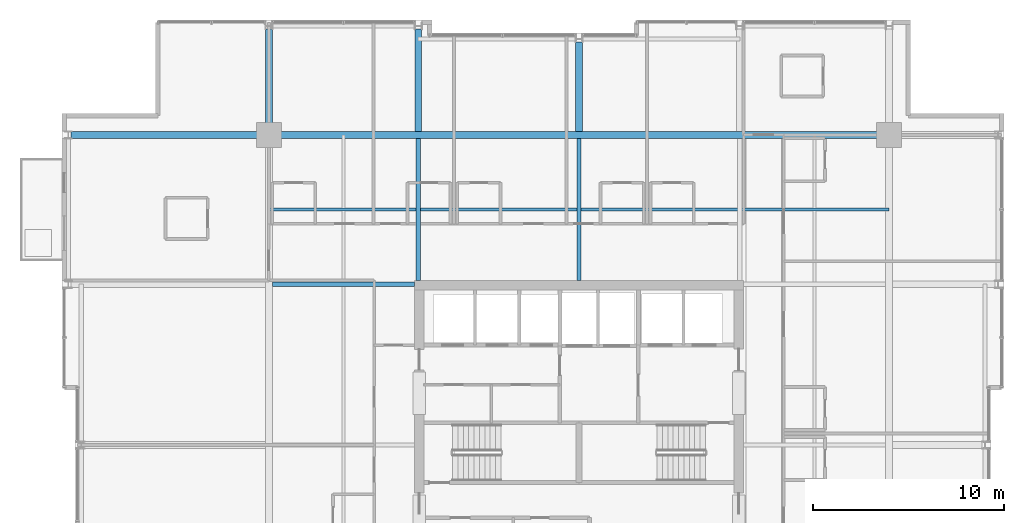
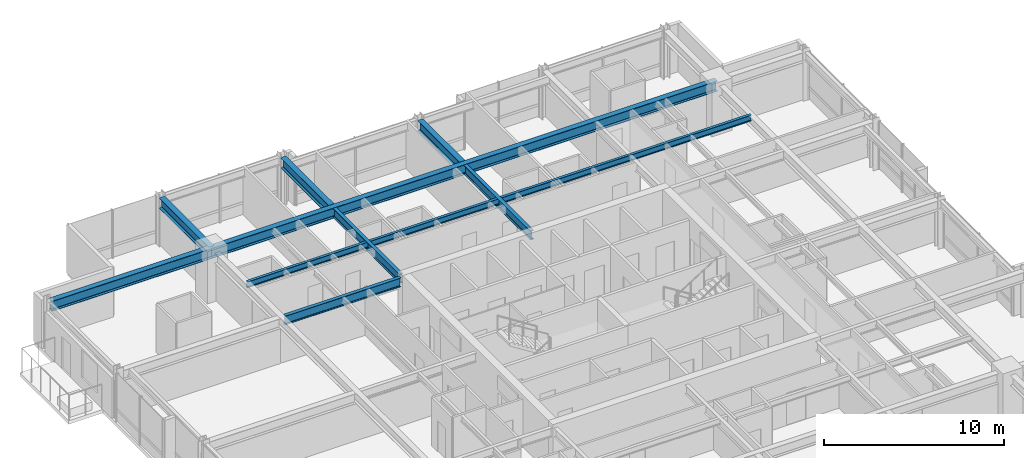
# One storey, part 18 of 31: 9 beams.
"""IFC4 building model written with IfcOpenShell, lengths in metres."""

from ifc_helpers import new_model, si_unit, direction, frame, origin, origin_2d, place, context, subcontext, project, spatial, i_section, extrude, material, material_profile, profile_set, type_object, element, save


model = new_model("IFC4")

# Units and contexts
model_context = context("Model", 3, precision=1e-05, world=origin(), true_north=direction((0.0, 1.0)))
body_context = subcontext(model_context, "Body", "Model", "MODEL_VIEW")
ifc_project = project(units=[si_unit("LENGTHUNIT", "METRE"), si_unit("AREAUNIT", "SQUARE_METRE"), si_unit("VOLUMEUNIT", "CUBIC_METRE"), si_unit("PLANEANGLEUNIT", "RADIAN"), si_unit("MASSUNIT", "GRAM", prefix="KILO")], contexts=[model_context])

# Site, building, storey
site_placement = place(None, origin())
site = spatial("IfcSite", under=ifc_project, at=site_placement, CompositionType="ELEMENT")
building_placement = place(site_placement, origin())
building = spatial("IfcBuilding", under=site, at=building_placement, Name="Drelvath Grand Hotel", CompositionType="ELEMENT")
storey_placement = place(building_placement, frame((0.0, 0.0, 185.89990234375)))
storey = spatial("IfcBuildingStorey", under=building, at=storey_placement, Name="L48", CompositionType="ELEMENT", Elevation=185.89990234375)

# Beams
ifc_material = material(Name="Steel ASTM A992 Gr 50", Category="steel")
ifc_material_profile_1 = material_profile(ifc_material, i_section(OverallWidth=0.177734375, OverallDepth=0.40673828125, WebThickness=0.0078125, FlangeThickness=0.0126953125, FilletRadius=0.014892578125, at=origin_2d()), Name="W16X40")
ifc_profile_set_1 = profile_set([ifc_material_profile_1], Name="Steel ASTM A992 Gr 50")
beam_type_1 = type_object("IfcBeamType", Name="Composite Floor Joist W16X40", PredefinedType="JOIST", material=ifc_profile_set_1)
beam_1_placement = place(storey_placement, frame((-16.199951171875, 39.300048828125, 3.086669921875), z_axis=(1.0, 0.0, 0.0), x_axis=(0.0, 1.0, 0.0)))
element("IfcBeam", 1, at=beam_1_placement, inside=storey, type_object=beam_type_1, Name="L48 Floor Joist J2", PredefinedType="JOIST", context=body_context, shape_type="SweptSolid", body=[
    extrude(i_section(OverallWidth=0.177734375, OverallDepth=0.40673828125, WebThickness=0.0078125, FlangeThickness=0.0126953125, FilletRadius=0.014892578125, at=origin_2d()), origin(), (0.0, 0.0, 1.0), 32.39990234375),
])
ifc_material_profile_2 = material_profile(ifc_material, i_section(OverallWidth=0.228271484375, OverallDepth=0.607666015625, WebThickness=0.01123046875, FlangeThickness=0.017333984375, FilletRadius=0.02001953125, at=origin_2d()), Name="W24X76")
ifc_profile_set_2 = profile_set([ifc_material_profile_2], Name="Steel ASTM A992 Gr 50")
beam_type_2 = type_object("IfcBeamType", Name="Primary Floor Girder W24X76", PredefinedType="BEAM", material=ifc_profile_set_2)
for number, where, z_axis, x_axis, name in (
    (2, (-16.022705078125, 35.39990234375, 2.986328125), (1.0, 0.0, 0.0), (0.0, 1.0, 0.0), "L48 West Core Tie F"),
    (3, (-8.39990234375, 35.60009765625, 2.986328125), (0.0, 1.0, 0.0), (-1.0, 0.0, 0.0), "L48 North Core Tie 4"),
    (4, (0.0, 35.60009765625, 2.986328125), (0.0, 1.0, 0.0), (-1.0, 0.0, 0.0), "L48 North Core Tie 5"),
):
    element("IfcBeam", number, at=place(storey_placement, frame(where, z_axis=z_axis, x_axis=x_axis)), inside=storey, type_object=beam_type_2, Name=name, PredefinedType="BEAM", context=body_context, shape_type="SweptSolid", body=[
        extrude(i_section(OverallWidth=0.228271484375, OverallDepth=0.607666015625, WebThickness=0.01123046875, FlangeThickness=0.017333984375, FilletRadius=0.02001953125, at=origin_2d()), origin(), (0.0, 0.0, 1.0), 7.422607421875),
    ])
ifc_material_profile_3 = material_profile(ifc_material, i_section(OverallWidth=0.354736328125, OverallDepth=0.695556640625, WebThickness=0.015380859375, FlangeThickness=0.025146484375, FilletRadius=0.02392578125, at=origin_2d()), Name="W27X146")
ifc_profile_set_3 = profile_set([ifc_material_profile_3], Name="Steel ASTM A992 Gr 50")
beam_type_3 = type_object("IfcBeamType", Name="Primary Floor Girder W27X146", PredefinedType="BEAM", material=ifc_profile_set_3)
beam_2_placement = place(storey_placement, frame((-16.199951171875, 43.199951171875, 2.9423828125), z_axis=(1.0, 0.0, 0.0), x_axis=(0.0, 1.0, 0.0)))
element("IfcBeam", 5, at=beam_2_placement, inside=storey, type_object=beam_type_3, Name="L48 Mega Ring Girder North", PredefinedType="BEAM", context=body_context, shape_type="SweptSolid", body=[
    extrude(i_section(OverallWidth=0.354736328125, OverallDepth=0.695556640625, WebThickness=0.015380859375, FlangeThickness=0.025146484375, FilletRadius=0.02392578125, at=origin_2d()), origin(), (0.0, 0.0, 1.0), 32.39990234375),
])
beam_3_placement = place(storey_placement, frame((-26.5400390625, 43.199951171875, 2.9423828125), z_axis=(1.0, 0.0, 0.0), x_axis=(0.0, 1.0, 0.0)))
element("IfcBeam", 6, at=beam_3_placement, inside=storey, type_object=beam_type_3, Name="L48 West Grid Girder G", PredefinedType="BEAM", context=body_context, shape_type="SweptSolid", body=[
    extrude(i_section(OverallWidth=0.354736328125, OverallDepth=0.695556640625, WebThickness=0.015380859375, FlangeThickness=0.025146484375, FilletRadius=0.02392578125, at=origin_2d()), origin(), (0.0, 0.0, 1.0), 10.340087890625),
])
beam_4_placement = place(storey_placement, frame((-16.199951171875, 43.199951171875, 2.9423828125), z_axis=(0.0, 1.0, 0.0), x_axis=(-1.0, 0.0, 0.0)))
element("IfcBeam", 7, at=beam_4_placement, inside=storey, type_object=beam_type_3, Name="L48 North Grid Girder 3", PredefinedType="BEAM", context=body_context, shape_type="SweptSolid", body=[
    extrude(i_section(OverallWidth=0.354736328125, OverallDepth=0.695556640625, WebThickness=0.015380859375, FlangeThickness=0.025146484375, FilletRadius=0.02392578125, at=origin_2d()), origin(), (0.0, 0.0, 1.0), 5.5400390625),
])
beam_5_placement = place(storey_placement, frame((-8.39990234375, 43.37744140625, 2.9423828125), z_axis=(0.0, 1.0, 0.0), x_axis=(-1.0, 0.0, 0.0)))
element("IfcBeam", 8, at=beam_5_placement, inside=storey, type_object=beam_type_3, Name="L48 North Wing Girder 4", PredefinedType="BEAM", context=body_context, shape_type="SweptSolid", body=[
    extrude(i_section(OverallWidth=0.354736328125, OverallDepth=0.695556640625, WebThickness=0.015380859375, FlangeThickness=0.025146484375, FilletRadius=0.02392578125, at=origin_2d()), origin(), (0.0, 0.0, 1.0), 5.362548828125),
])
beam_6_placement = place(storey_placement, frame((0.0, 43.37744140625, 2.9423828125), z_axis=(0.0, 1.0, 0.0), x_axis=(-1.0, 0.0, 0.0)))
element("IfcBeam", 9, at=beam_6_placement, inside=storey, type_object=beam_type_3, Name="L48 North Wing Girder 5", PredefinedType="BEAM", context=body_context, shape_type="SweptSolid", body=[
    extrude(i_section(OverallWidth=0.354736328125, OverallDepth=0.695556640625, WebThickness=0.015380859375, FlangeThickness=0.025146484375, FilletRadius=0.02392578125, at=origin_2d()), origin(), (0.0, 0.0, 1.0), 4.6826171875),
])

save(model, "model.ifc")
